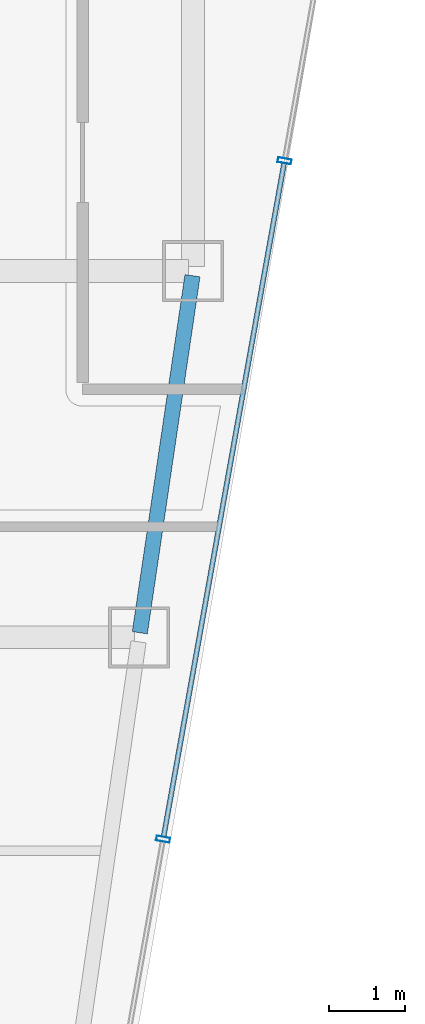
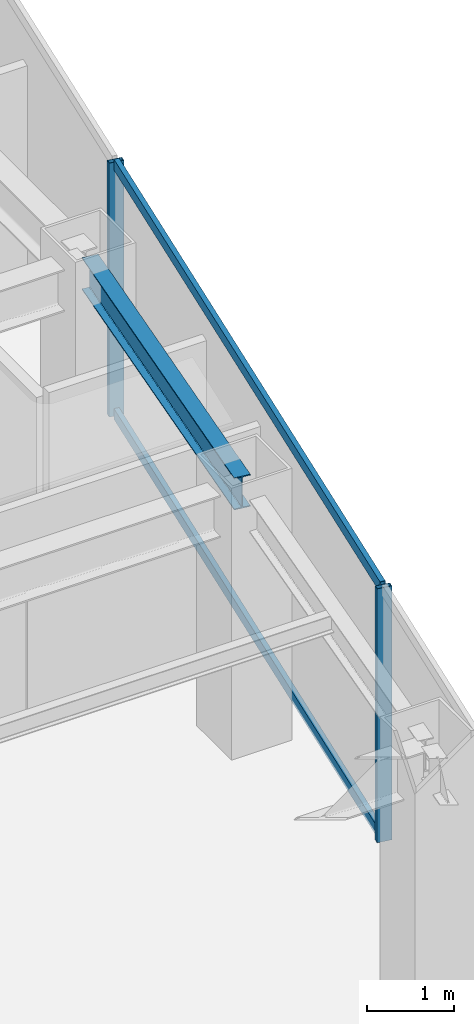
# One storey, part 11 of 28: 4 members, 1 beam, 1 element without a shape of its own.
"""IFC4 building model written with IfcOpenShell, lengths in metres."""

from ifc_helpers import new_model, si_unit, direction, frame, origin, origin_2d, place, context, subcontext, project, spatial, hollow_rectangle, i_section, extrude, material, material_profile, profile_set, type_object, element, aggregate, save


model = new_model("IFC4")

# Units and contexts
model_context = context("Model", 3, precision=1e-05, world=origin(), true_north=direction((0.0, 1.0)))
body_context = subcontext(model_context, "Body", "Model", "MODEL_VIEW")
ifc_project = project(units=[si_unit("LENGTHUNIT", "METRE"), si_unit("AREAUNIT", "SQUARE_METRE"), si_unit("VOLUMEUNIT", "CUBIC_METRE"), si_unit("PLANEANGLEUNIT", "RADIAN"), si_unit("MASSUNIT", "GRAM", prefix="KILO")], contexts=[model_context])

# Site, building, storey
site_placement = place(None, origin())
site = spatial("IfcSite", under=ifc_project, at=site_placement, CompositionType="ELEMENT")
building_placement = place(site_placement, origin())
building = spatial("IfcBuilding", under=site, at=building_placement, Name="Saevonmaru Cultural Tower", CompositionType="ELEMENT")
storey_placement = place(building_placement, frame((0.0, 0.0, 253.39990234375)))
storey = spatial("IfcBuildingStorey", under=building, at=storey_placement, Name="L59", CompositionType="ELEMENT", Elevation=253.39990234375)

# Beam
ifc_material_1 = material(Name="Steel SM355", Category="steel")
ifc_material_profile_1 = material_profile(ifc_material_1, i_section(OverallWidth=0.199951171875, OverallDepth=0.449951171875, WebThickness=0.009033203125, FlangeThickness=0.013916015625, FilletRadius=0.01806640625, at=origin_2d()), Name="H-450x200x9x14")
ifc_profile_set_1 = profile_set([ifc_material_profile_1], Name="Steel SM355")
beam_type = type_object("IfcBeamType", Name="BM-SP-H450", PredefinedType="SPANDREL", material=ifc_profile_set_1)
beam_placement = place(storey_placement, frame((52.500732421875, 37.659423828125, 3.3251953125), z_axis=(0.145912860028, 0.989297446312, 0.0), x_axis=(-0.989297446312, 0.145912860028, 0.0)))
element("IfcBeam", 1, at=beam_placement, inside=storey, type_object=beam_type, Name="L59 East Splayed Spandrel 3", PredefinedType="SPANDREL", context=body_context, shape_type="SweptSolid", body=[
    extrude(i_section(OverallWidth=0.199951171875, OverallDepth=0.449951171875, WebThickness=0.009033203125, FlangeThickness=0.013916015625, FilletRadius=0.01806640625, at=origin_2d()), origin(), (0.0, 0.0, 1.0), 4.731689453125),
])

# Curtain wall, members
ifc_material_2 = material(Name="Satin Bronze Anodised Aluminium", Category="aluminium")
curtain_wall_type = type_object("IfcCurtainWallType", Name="CW-TYP-B", PredefinedType="NOTDEFINED", material=ifc_material_2)
curtain_wall_placement = place(storey_placement, origin())
curtain_wall = element("IfcCurtainWall", 2, at=curtain_wall_placement, inside=storey, type_object=curtain_wall_type, Name="L59 Unitised Curtain Wall E8", PredefinedType="NOTDEFINED")
ifc_material_profile_2 = material_profile(ifc_material_2, hollow_rectangle(XDim=0.06494140625, YDim=0.179931640625, WallThickness=0.00390625, at=origin_2d()), Name="ALU-MULL-180x65x4")
ifc_profile_set_2 = profile_set([ifc_material_profile_2], Name="Satin Bronze Anodised Aluminium")
member_type_1 = type_object("IfcMemberType", Name="ML-CW-180x65", PredefinedType="MULLION", material=ifc_profile_set_2)
member_1_placement = place(storey_placement, frame((52.806396484375, 34.953125, 0.0), z_axis=(0.0, 0.0, 1.0), x_axis=(0.176140740755, 0.984364993001, 0.0)))
member_1 = element("IfcMember", 3, at=member_1_placement, type_object=member_type_1, Name="CW-TW-L59-E8 mullion 2", PredefinedType="MULLION", context=body_context, shape_type="SweptSolid", body=[
    extrude(hollow_rectangle(XDim=0.06494140625, YDim=0.179931640625, WallThickness=0.00390625, at=origin_2d()), origin(), (0.0, 0.0, 1.0), 3.550048828125),
])
member_2_placement = place(storey_placement, frame((54.39794921875, 43.846923828125, 0.0), z_axis=(0.0, 0.0, 1.0), x_axis=(0.176140740755, 0.984364993001, 0.0)))
member_2 = element("IfcMember", 4, at=member_2_placement, type_object=member_type_1, Name="CW-TW-L59-E8 mullion 3", PredefinedType="MULLION", context=body_context, shape_type="SweptSolid", body=[
    extrude(hollow_rectangle(XDim=0.06494140625, YDim=0.179931640625, WallThickness=0.00390625, at=origin_2d()), origin(), (0.0, 0.0, 1.0), 3.550048828125),
])
ifc_material_profile_3 = material_profile(ifc_material_2, hollow_rectangle(XDim=0.06494140625, YDim=0.14990234375, WallThickness=0.00390625, at=origin_2d()), Name="ALU-TRAN-150x65x4")
ifc_profile_set_3 = profile_set([ifc_material_profile_3], Name="Satin Bronze Anodised Aluminium")
member_type_2 = type_object("IfcMemberType", Name="TR-CW-150x65", PredefinedType="USERDEFINED", material=ifc_profile_set_3)
member_3_placement = place(storey_placement, frame((52.812255859375, 34.985107421875, 0.03271484375), z_axis=(0.176123157264, 0.984368139202, 0.0), x_axis=(-0.984368139202, 0.176123157264, 0.0)))
member_3 = element("IfcMember", 5, at=member_3_placement, type_object=member_type_2, Name="CW-TW-L59-E8 transom 2.1", ObjectType="TRANSOM", PredefinedType="USERDEFINED", context=body_context, shape_type="SweptSolid", body=[
    extrude(hollow_rectangle(XDim=0.06494140625, YDim=0.14990234375, WallThickness=0.00390625, at=origin_2d()), origin(), (0.0, 0.0, 1.0), 8.969970703125),
])
member_4_placement = place(storey_placement, frame((52.812255859375, 34.985107421875, 3.517578125), z_axis=(0.176123157264, 0.984368139202, 0.0), x_axis=(-0.984368139202, 0.176123157264, 0.0)))
member_4 = element("IfcMember", 6, at=member_4_placement, type_object=member_type_2, Name="CW-TW-L59-E8 transom 2.2", ObjectType="TRANSOM", PredefinedType="USERDEFINED", context=body_context, shape_type="SweptSolid", body=[
    extrude(hollow_rectangle(XDim=0.06494140625, YDim=0.14990234375, WallThickness=0.00390625, at=origin_2d()), origin(), (0.0, 0.0, 1.0), 8.969970703125),
])
aggregate(curtain_wall, [member_1, member_2, member_3, member_4])

save(model, "model.ifc")
